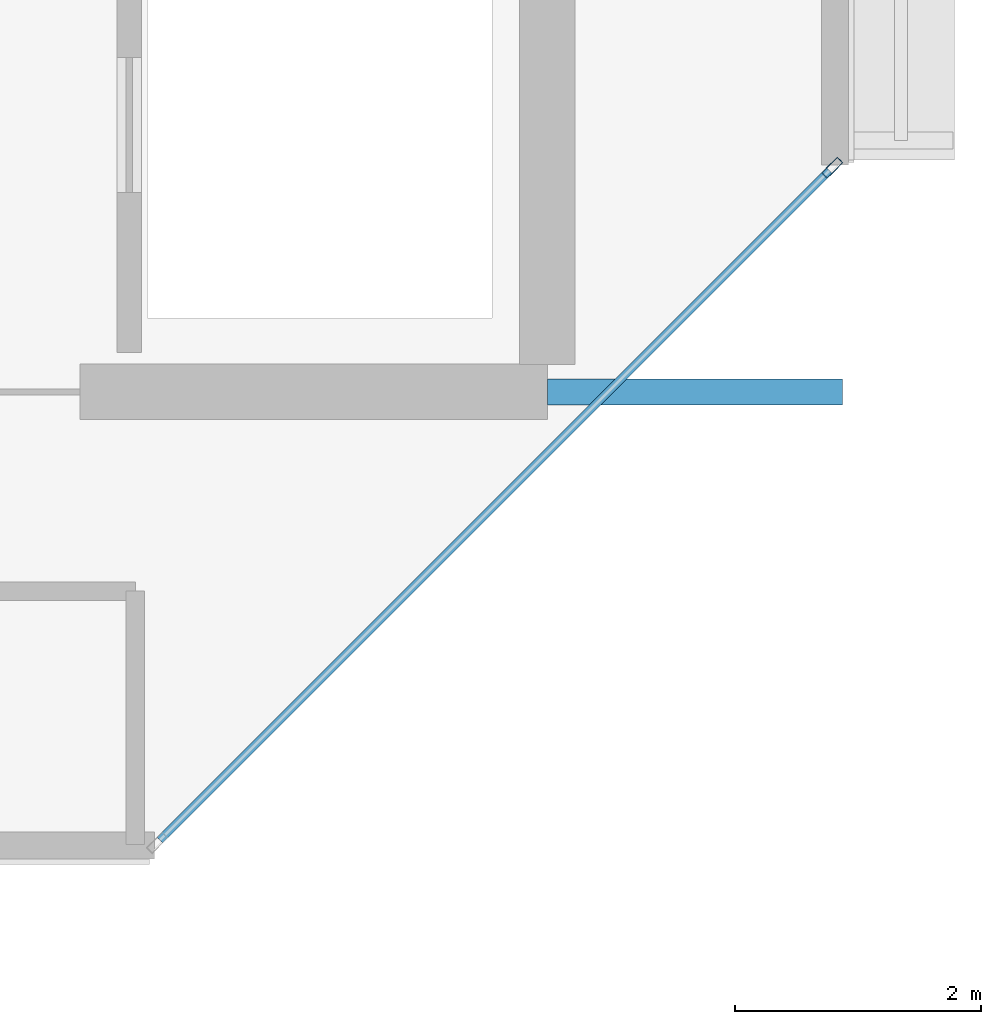
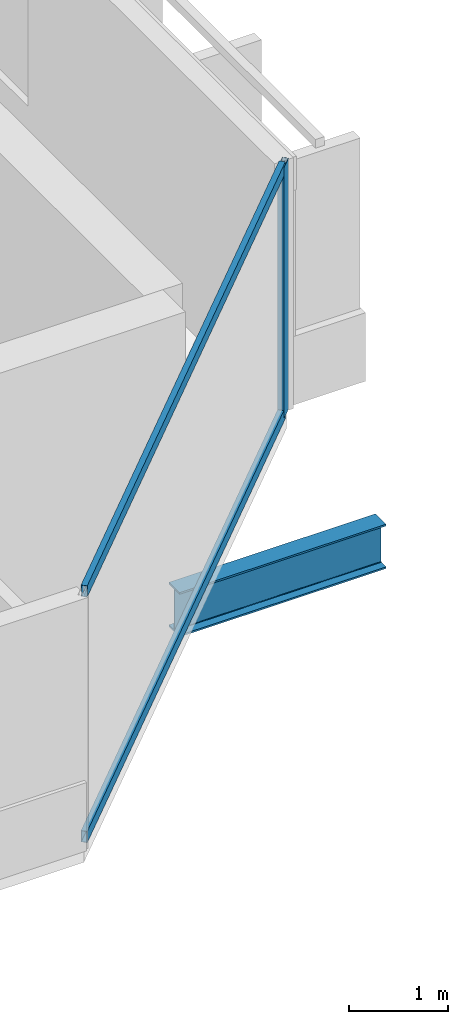
# One storey, part 3 of 29: 3 members, 1 beam, 1 element without a shape of its own.
"""IFC4 building model written with IfcOpenShell, lengths in metres."""

from ifc_helpers import new_model, si_unit, direction, frame, origin, origin_2d, place, context, subcontext, project, spatial, hollow_rectangle, i_section, extrude, material, layer, layer_set, material_profile, profile_set, type_object, element, aggregate, save


model = new_model("IFC4")

# Units and contexts
model_context = context("Model", 3, precision=1e-05, world=origin(), true_north=direction((0.0, 1.0)))
body_context = subcontext(model_context, "Body", "Model", "MODEL_VIEW")
ifc_project = project(units=[si_unit("LENGTHUNIT", "METRE"), si_unit("AREAUNIT", "SQUARE_METRE"), si_unit("VOLUMEUNIT", "CUBIC_METRE"), si_unit("PLANEANGLEUNIT", "RADIAN"), si_unit("MASSUNIT", "GRAM", prefix="KILO")], contexts=[model_context])

# Site, building, storey
site_placement = place(None, origin())
site = spatial("IfcSite", under=ifc_project, at=site_placement, CompositionType="ELEMENT")
building_placement = place(site_placement, origin())
building = spatial("IfcBuilding", under=site, at=building_placement, Name="Tanjung Sevakor Pilgrim Tower", CompositionType="ELEMENT")
storey_placement = place(building_placement, frame((0.0, 0.0, 232.64990234375)))
storey = spatial("IfcBuildingStorey", under=building, at=storey_placement, Name="L65", CompositionType="ELEMENT", Elevation=232.64990234375)

# Beam
ifc_material_1 = material(Name="Steel S355J2", Category="steel")
ifc_material_profile_1 = material_profile(ifc_material_1, i_section(OverallWidth=0.2119140625, OverallDepth=0.54443359375, WebThickness=0.0126953125, FlangeThickness=0.021240234375, FilletRadius=0.0126953125, at=origin_2d()))
ifc_profile_set_1 = profile_set([ifc_material_profile_1], Name="Steel S355J2")
beam_type = type_object("IfcBeamType", Name="BM-B-G5-UB_533x210x122", PredefinedType="BEAM", material=ifc_profile_set_1)
beam_placement = place(storey_placement, frame((36.0, 24.60009765625, -0.4921875), z_axis=(1.0, 0.0, 0.0), x_axis=(0.0, 1.0, 0.0)))
element("IfcBeam", 1, at=beam_placement, inside=storey, type_object=beam_type, Name="L65 West Peak Cantilever Girder 1", PredefinedType="BEAM", context=body_context, shape_type="SweptSolid", body=[
    extrude(i_section(OverallWidth=0.2119140625, OverallDepth=0.54443359375, WebThickness=0.0126953125, FlangeThickness=0.021240234375, FilletRadius=0.0126953125, at=origin_2d()), origin(), (0.0, 0.0, 1.0), 2.39990234375),
])

# Curtain wall, members
ifc_material_2 = material(Name="Aluminium 6063-T6 and Low-E Glass", Category="aluminium")
ifc_layer = layer(ifc_material_2, 0.179931640625)
ifc_layer_set = layer_set([ifc_layer], Name="CW-SYS-CHAM")
curtain_wall_type = type_object("IfcCurtainWallType", Name="CW-SYS-CHAM", PredefinedType="NOTDEFINED", material=ifc_layer_set)
curtain_wall_placement = place(storey_placement, origin())
curtain_wall = element("IfcCurtainWall", 2, at=curtain_wall_placement, inside=storey, type_object=curtain_wall_type, Name="L65 Curtain Wall CW-CHM-L65-WEST-1", PredefinedType="NOTDEFINED")
ifc_material_3 = material(Name="Aluminium 6063-T6", Category="aluminium")
ifc_material_profile_2 = material_profile(ifc_material_3, hollow_rectangle(XDim=0.06494140625, YDim=0.179931640625, WallThickness=0.00390625, at=origin_2d()))
ifc_profile_set_2 = profile_set([ifc_material_profile_2], Name="Aluminium 6063-T6")
member_type_1 = type_object("IfcMemberType", Name="TYPE-CWM-1", PredefinedType="MULLION", material=ifc_profile_set_2)
member_1_placement = place(storey_placement, frame((38.317138671875, 26.422607421875, 0.0), z_axis=(0.0, 0.0, 1.0), x_axis=(-0.707106781187, 0.707106781187, 0.0)))
member_1 = element("IfcMember", 3, at=member_1_placement, type_object=member_type_1, Name="CW-CHM mullion 2", PredefinedType="MULLION", context=body_context, shape_type="SweptSolid", body=[
    extrude(hollow_rectangle(XDim=0.06494140625, YDim=0.179931640625, WallThickness=0.00390625, at=origin_2d()), origin(), (0.0, 0.0, 1.0), 3.080078125),
])
ifc_material_4 = material(Name="Aluminium 6063-T6", Category="aluminium")
ifc_material_profile_3 = material_profile(ifc_material_4, hollow_rectangle(XDim=0.06494140625, YDim=0.139892578125, WallThickness=0.00390625, at=origin_2d()))
ifc_profile_set_3 = profile_set([ifc_material_profile_3], Name="Aluminium 6063-T6")
member_type_2 = type_object("IfcMemberType", Name="TYPE-CWT-1", PredefinedType="USERDEFINED", material=ifc_profile_set_3)
member_2_placement = place(storey_placement, frame((32.850341796875, 20.9560546875, 0.03271484375), z_axis=(0.707106781187, 0.707106781187, 0.0), x_axis=(-0.707106781187, 0.707106781187, 0.0)))
member_2 = element("IfcMember", 4, at=member_2_placement, type_object=member_type_2, Name="CW-CHM transom 1.1", ObjectType="TRANSOM", PredefinedType="USERDEFINED", context=body_context, shape_type="SweptSolid", body=[
    extrude(hollow_rectangle(XDim=0.06494140625, YDim=0.139892578125, WallThickness=0.00390625, at=origin_2d()), origin(), (0.0, 0.0, 1.0), 7.698486328125),
])
member_3_placement = place(storey_placement, frame((32.850341796875, 20.9560546875, 3.047607421875), z_axis=(0.707106781187, 0.707106781187, 0.0), x_axis=(-0.707106781187, 0.707106781187, 0.0)))
member_3 = element("IfcMember", 5, at=member_3_placement, type_object=member_type_2, Name="CW-CHM transom 1.2", ObjectType="TRANSOM", PredefinedType="USERDEFINED", context=body_context, shape_type="SweptSolid", body=[
    extrude(hollow_rectangle(XDim=0.06494140625, YDim=0.139892578125, WallThickness=0.00390625, at=origin_2d()), origin(), (0.0, 0.0, 1.0), 7.698486328125),
])
aggregate(curtain_wall, [member_1, member_2, member_3])

save(model, "model.ifc")
